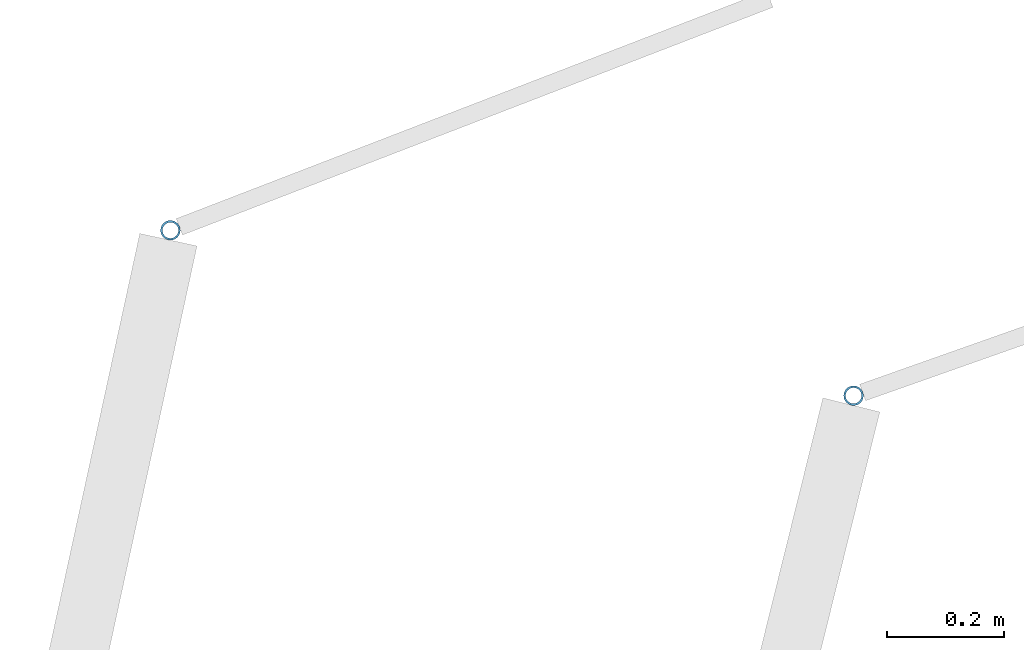
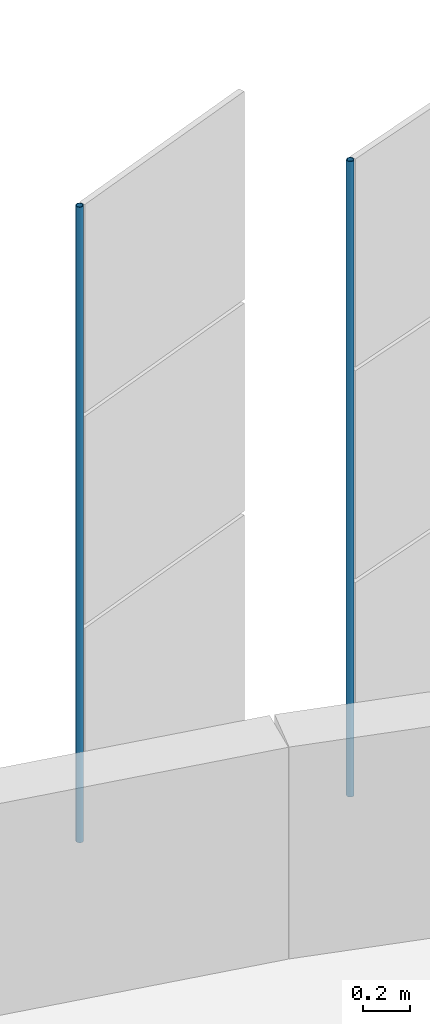
# One storey, part 173 of 214: 2 discrete accessories.
"""IFC4 building model written with IfcOpenShell, lengths in metres."""

from ifc_helpers import new_model, si_unit, direction, frame, origin, origin_2d, place, context, subcontext, project, spatial, hollow_circle, extrude, material, material_profile, profile_set, type_object, element, save


model = new_model("IFC4")

# Units and contexts
model_context = context("Model", 3, precision=1e-05, world=origin(), true_north=direction((0.0, 1.0)))
body_context = subcontext(model_context, "Body", "Model", "MODEL_VIEW")
ifc_project = project(units=[si_unit("LENGTHUNIT", "METRE"), si_unit("AREAUNIT", "SQUARE_METRE"), si_unit("VOLUMEUNIT", "CUBIC_METRE"), si_unit("PLANEANGLEUNIT", "RADIAN"), si_unit("MASSUNIT", "GRAM", prefix="KILO")], contexts=[model_context])

# Site, building, storey
site_placement = place(None, origin())
site = spatial("IfcSite", under=ifc_project, at=site_placement, CompositionType="ELEMENT")
building_placement = place(site_placement, origin())
building = spatial("IfcBuilding", under=site, at=building_placement, Name="Parallax Yard Mobility Hub", CompositionType="ELEMENT")
storey_placement = place(building_placement, frame((0.0, 0.0, 3.300048828125)))
storey = spatial("IfcBuildingStorey", under=building, at=storey_placement, Name="L01", CompositionType="ELEMENT", Elevation=3.300048828125)

# Discrete accessories
ifc_material = material(Name="Steel ASTM A500 Gr C, hot-dip galvanised", Category="steel")
ifc_material_profile = material_profile(ifc_material, hollow_circle(Radius=0.016845703125, WallThickness=0.003173828125, at=origin_2d()), Name="CHS 33.7x3.2")
ifc_profile_set = profile_set([ifc_material_profile], Name="Steel ASTM A500 Gr C, hot-dip galvanised")
discrete_accessory_type = type_object("IfcDiscreteAccessoryType", Name="Hinge post CHS 33.7x3.2", PredefinedType="BRACKET", material=ifc_profile_set)
for number, where, z_axis, x_axis, name in (
    (1, (185.52587890625, 141.703369140625, 0.0), (0.0, 0.0, 1.0), (1.0, 0.0, 0.0), "Hinge post bay 49.4 level L01"),
    (2, (184.360107421875, 141.985595703125, 0.0), (0.0, 0.0, 1.0), (1.0, 0.0, 0.0), "Hinge post bay 49.5 level L01"),
):
    element("IfcDiscreteAccessory", number, at=place(storey_placement, frame(where, z_axis=z_axis, x_axis=x_axis)), inside=storey, type_object=discrete_accessory_type, Name=name, PredefinedType="BRACKET", context=body_context, shape_type="SweptSolid", body=[
        extrude(hollow_circle(Radius=0.016845703125, WallThickness=0.003173828125, at=origin_2d()), origin(), (0.0, 0.0, 1.0), 3.300048828125),
    ])

save(model, "model.ifc")
